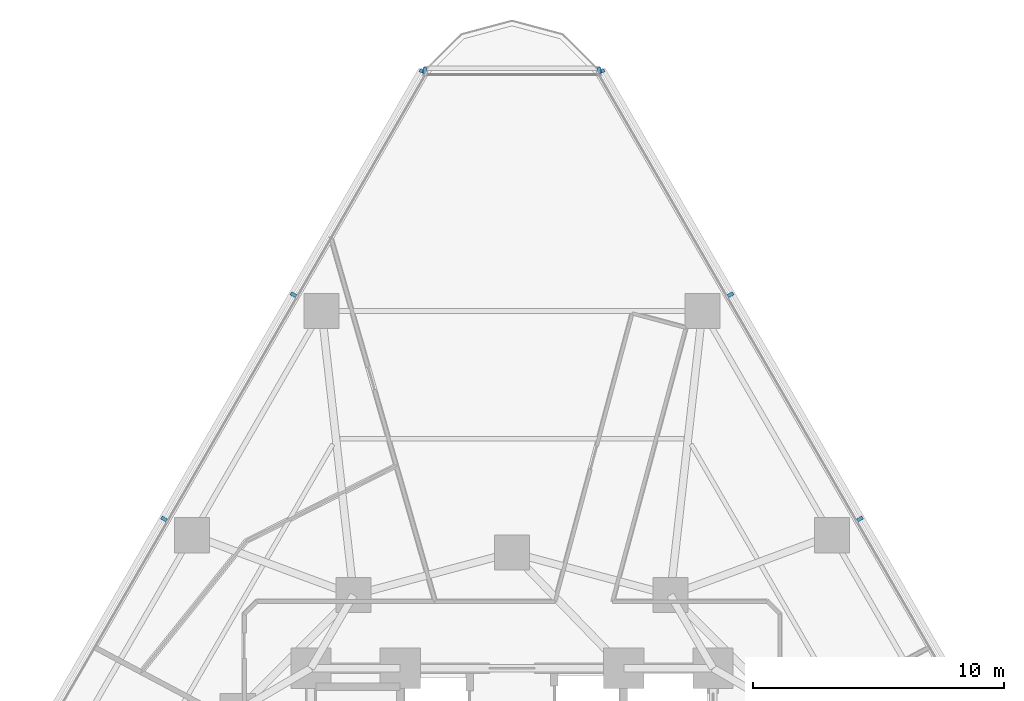
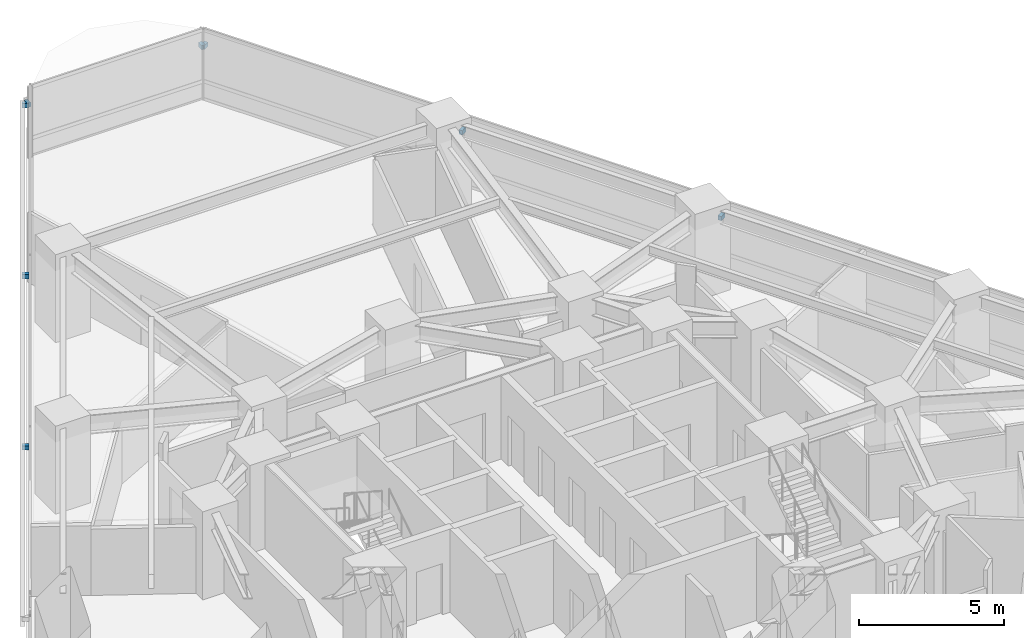
# One storey, part 12 of 16: 8 discrete accessories.
"""IFC4 building model written with IfcOpenShell, lengths in metres."""

import ifcopenshell
import ifcopenshell.guid

model = None  # the IFC model being written
_history = None  # IfcOwnerHistory: only IFC2X3 demands one
_inside = {}  # id of a spatial element -> (the spatial element, [elements in it])
_under = {}  # id of a project, library or spatial element -> (it, [spatial elements below it])
_declared = {}  # id of a project -> (the project, [libraries it declares])
_typed = {}  # id of a type object -> (the type object, [elements of that type])
_made_of = {}  # id of a material, layer set ... -> (it, [elements and type objects made of it])


def new_model(schema):
    """Start an empty IFC model of exactly this schema.

    Asked for "IFC4X3", IfcOpenShell would pick the latest addendum, in which some entities
    have other attributes; the version numbers below select the first issue.
    IFC2X3 requires an IfcOwnerHistory on every rooted entity: one is made here for all.
    """
    global model, _history
    if schema == "IFC4X3":
        model = ifcopenshell.file(schema_version=(4, 3, 0, 0))
    else:
        model = ifcopenshell.file(schema=schema)
    _inside.clear()
    _under.clear()
    _declared.clear()
    _typed.clear()
    _made_of.clear()
    _history = None
    if model.schema == "IFC2X3":
        org = make("IfcOrganization", Name="unknown")
        user = make(
            "IfcPersonAndOrganization",
            ThePerson=make("IfcPerson", FamilyName="unknown"),
            TheOrganization=org,
        )
        app = make(
            "IfcApplication",
            ApplicationDeveloper=org,
            Version="unknown",
            ApplicationFullName="unknown",
            ApplicationIdentifier="unknown",
        )
        _history = make(
            "IfcOwnerHistory",
            OwningUser=user,
            OwningApplication=app,
            ChangeAction="ADDED",
            CreationDate=0,
        )
    return model


def make(cls, **values):
    """One entity of the class cls with the attributes given. An attribute that is None is left unset."""
    return model.create_entity(
        cls, **{name: value for name, value in values.items() if value is not None}
    )


def rooted(cls, **values):
    """An entity with a GlobalId (a new one), such as an element, a storey or a relation."""
    return make(cls, GlobalId=ifcopenshell.guid.new(), OwnerHistory=_history, **values)


def si_unit(unit_type, name, prefix=None):
    """IfcSIUnit, for example si_unit("LENGTHUNIT", "METRE", prefix="MILLI")."""
    return make("IfcSIUnit", UnitType=unit_type, Prefix=prefix, Name=name)


def assignment(units):
    """IfcUnitAssignment: the units of a project."""
    return None if units is None else make("IfcUnitAssignment", Units=units)


def point(xyz):
    """IfcCartesianPoint."""
    return None if xyz is None else make("IfcCartesianPoint", Coordinates=xyz)


def direction(xyz):
    """IfcDirection."""
    return None if xyz is None else make("IfcDirection", DirectionRatios=xyz)


def frame(location, z_axis=None, x_axis=None):
    """IfcAxis2Placement3D, a coordinate frame: its origin and axes. An axis left out is left unset."""
    return make(
        "IfcAxis2Placement3D",
        Location=point(location),
        Axis=direction(z_axis),
        RefDirection=direction(x_axis),
    )


def frame_2d(location, x_axis=None):
    """IfcAxis2Placement2D, a coordinate frame in the plane: its origin and x axis."""
    return make(
        "IfcAxis2Placement2D", Location=point(location), RefDirection=direction(x_axis)
    )


def origin():
    """The frame at (0, 0, 0) with its axes left unset."""
    return frame((0.0, 0.0, 0.0))


def origin_2d():
    """The frame at (0, 0) in the plane with its x axis left unset."""
    return frame_2d((0.0, 0.0))


def place(relative_to, where):
    """IfcLocalPlacement: puts the frame where relative to a parent placement (None: the world)."""
    return make(
        "IfcLocalPlacement", PlacementRelTo=relative_to, RelativePlacement=where
    )


def context(
    kind, dimensions, precision=None, world=None, true_north=None, identifier=None
):
    """IfcGeometricRepresentationContext, for example the 3D "Model" context."""
    return make(
        "IfcGeometricRepresentationContext",
        ContextIdentifier=identifier,
        ContextType=kind,
        CoordinateSpaceDimension=dimensions,
        Precision=precision,
        WorldCoordinateSystem=world,
        TrueNorth=true_north,
    )


def subcontext(parent, identifier, kind, view, scale=None):
    """IfcGeometricRepresentationSubContext, for example "Body" below "Model"."""
    return make(
        "IfcGeometricRepresentationSubContext",
        ContextIdentifier=identifier,
        ContextType=kind,
        ParentContext=parent,
        TargetScale=scale,
        TargetView=view,
    )


def project(units=None, contexts=None):
    """IfcProject with its units and contexts."""
    return rooted(
        "IfcProject",
        Name="project",
        RepresentationContexts=contexts,
        UnitsInContext=assignment(units),
    )


def spatial(cls, under=None, at=None, **own):
    """A site, building, storey or space (cls), placed at a placement, below another one or the project."""
    s = rooted(cls, ObjectPlacement=at, **own)
    if under is not None:
        _under.setdefault(under.id(), (under, []))[1].append(s)
    return s


def profile(cls, at=None, kind="AREA", **sizes):
    """A parametric profile (cls). Its sizes go by their IFC names, for example OverallWidth=200.0."""
    return make(cls, ProfileType=kind, Position=at, **sizes)


def rectangle(**sizes):
    """IfcRectangleProfileDef."""
    return profile("IfcRectangleProfileDef", **sizes)


def extrude(swept, where, along, depth):
    """IfcExtrudedAreaSolid: the profile swept, set in the frame where, extruded along a direction by depth."""
    return make(
        "IfcExtrudedAreaSolid",
        SweptArea=swept,
        Position=where,
        ExtrudedDirection=direction(along),
        Depth=depth,
    )


def shape(context_of_items, identifier, shape_type, items):
    """IfcShapeRepresentation: the items that make up one representation, for example the "Body"."""
    return make(
        "IfcShapeRepresentation",
        ContextOfItems=context_of_items,
        RepresentationIdentifier=identifier,
        RepresentationType=shape_type,
        Items=items,
    )


def material(Name=None, Category=None):
    """IfcMaterial."""
    return make("IfcMaterial", Name=Name, Category=Category)


def made_of(thing, what):
    """Note that an element or type object is made of a material, layer set ...; save() writes the relation."""
    if what is not None:
        _made_of.setdefault(what.id(), (what, []))[1].append(thing)
    return thing


def type_object(cls, material=None, **own):
    """A type object (cls), such as IfcWallType, which elements share."""
    return made_of(rooted(cls, **own), material)


def element(
    cls,
    number,
    at=None,
    inside=None,
    cuts=None,
    type_object=None,
    material=None,
    context=None,
    identifier="Body",
    shape_type=None,
    held_by="IfcProductDefinitionShape",
    body=None,
    shapes=None,
    **own,
):
    """One element of the class cls, such as IfcWall. Its Tag is "e" and its number.

    at: its placement. inside: the storey or other place that contains it. cuts: it is an
    opening in that element (IfcRelVoidsElement). A single representation is given by context,
    identifier, shape_type and body (its items); several are given by shapes. held_by: the class
    of the entity that holds the representations. save() writes the other relations.
    """
    e = rooted(cls, Tag="e%d" % number, ObjectPlacement=at, **own)
    if body is not None:
        shapes = [shape(context, identifier, shape_type, body)]
    if shapes is not None:
        e.Representation = make(held_by, Representations=shapes)
    if inside is not None:
        _inside.setdefault(inside.id(), (inside, []))[1].append(e)
    if cuts is not None:
        rooted(
            "IfcRelVoidsElement", RelatingBuildingElement=cuts, RelatedOpeningElement=e
        )
    if type_object is not None:
        _typed.setdefault(type_object.id(), (type_object, []))[1].append(e)
    return made_of(e, material)


def aggregate(whole, parts):
    """IfcRelAggregates: a whole, such as a stair, and the parts it consists of."""
    return rooted("IfcRelAggregates", RelatingObject=whole, RelatedObjects=parts)


def save(model, path):
    """Write the relations noted so far, then the file.

    IfcRelAggregates (storeys below a building ...), IfcRelContainedInSpatialStructure (elements
    in a storey), IfcRelDefinesByType, IfcRelAssociatesMaterial and IfcRelDeclares: one each for
    every whole, place, type object, material and project.
    """
    for whole, parts in _under.values():
        aggregate(whole, parts)
    for where, things in _inside.values():
        rooted(
            "IfcRelContainedInSpatialStructure",
            RelatedElements=things,
            RelatingStructure=where,
        )
    for kind, things in _typed.values():
        rooted("IfcRelDefinesByType", RelatedObjects=things, RelatingType=kind)
    for what, things in _made_of.values():
        rooted("IfcRelAssociatesMaterial", RelatedObjects=things, RelatingMaterial=what)
    for by, libraries in _declared.values():
        rooted("IfcRelDeclares", RelatingContext=by, RelatedDefinitions=libraries)
    model.write(path)


model = new_model("IFC4")

# Units and contexts
model_context = context("Model", 3, precision=1e-05, world=origin(), true_north=direction((0.0, 1.0)))
body_context = subcontext(model_context, "Body", "Model", "MODEL_VIEW")
ifc_project = project(units=[si_unit("LENGTHUNIT", "METRE"), si_unit("AREAUNIT", "SQUARE_METRE"), si_unit("VOLUMEUNIT", "CUBIC_METRE"), si_unit("PLANEANGLEUNIT", "RADIAN"), si_unit("MASSUNIT", "GRAM", prefix="KILO")], contexts=[model_context])

# Site, building, storey
site_placement = place(None, origin())
site = spatial("IfcSite", under=ifc_project, at=site_placement, CompositionType="ELEMENT")
building_placement = place(site_placement, origin())
building = spatial("IfcBuilding", under=site, at=building_placement, Name="Terralouvre Media Tower", CompositionType="ELEMENT")
storey_placement = place(building_placement, frame((0.0, 0.0, 40.800048828125)))
storey = spatial("IfcBuildingStorey", under=building, at=storey_placement, Name="L09", CompositionType="ELEMENT", Elevation=40.800048828125)

# Discrete accessories
ifc_material = material(Name="Anodised extruded aluminium 6063-T6", Category="aluminium")
discrete_accessory_type = type_object("IfcDiscreteAccessoryType", Name="Mullion Stand-Off Baguette Fixing Bracket BK-01", PredefinedType="BRACKET", material=ifc_material)
for number, where, z_axis, x_axis, name in (
    (1, (13.842041015625, 13.9384765625, 2.07421875), (0.0, 0.0, 1.0), (-0.499999985671, 0.866025412057, 0.0), "CW-L09-F1 Baguette Outrigger Bracket 1.04"),
    (2, (8.692138671875, 22.8583984375, 2.07421875), (0.0, 0.0, 1.0), (-0.499999985671, 0.866025412057, 0.0), "CW-L09-F1 Baguette Outrigger Bracket 1.05"),
    (3, (3.560791015625, 31.74609375, 2.07421875), (0.0, 0.0, 1.0), (-0.499999985671, 0.866025412057, 0.0), "CW-L09-F1 Baguette Outrigger Bracket 1.06"),
    (4, (-3.560791015625, 31.74609375, 2.07421875), (0.0, 0.0, 1.0), (-0.499999985671, -0.866025412057, 0.0), "CW-L09-F2 Baguette Outrigger Bracket 1.01"),
    (5, (-8.692138671875, 22.8583984375, 2.07421875), (0.0, 0.0, 1.0), (-0.499999985671, -0.866025412057, 0.0), "CW-L09-F2 Baguette Outrigger Bracket 1.02"),
    (6, (-13.842041015625, 13.9384765625, 2.07421875), (0.0, 0.0, 1.0), (-0.499999985671, -0.866025412057, 0.0), "CW-L09-F2 Baguette Outrigger Bracket 1.03"),
    (7, (3.469970703125, 31.778564453125, 2.07421875), (0.0, 0.0, 1.0), (-1.0, 0.0, 0.0), "CW-L09-C2 Baguette Outrigger Bracket 1.01"),
    (8, (-3.469970703125, 31.778564453125, 2.07421875), (0.0, 0.0, 1.0), (-1.0, 0.0, 0.0), "CW-L09-C2 Baguette Outrigger Bracket 1.02"),
):
    element("IfcDiscreteAccessory", number, at=place(storey_placement, frame(where, z_axis=z_axis, x_axis=x_axis)), inside=storey, type_object=discrete_accessory_type, Name=name, PredefinedType="BRACKET", context=body_context, shape_type="SweptSolid", body=[
        extrude(rectangle(XDim=0.139892578125, YDim=0.239990234375, at=origin_2d()), origin(), (0.0, 0.0, 1.0), 0.179931640625),
    ])

save(model, "model.ifc")
